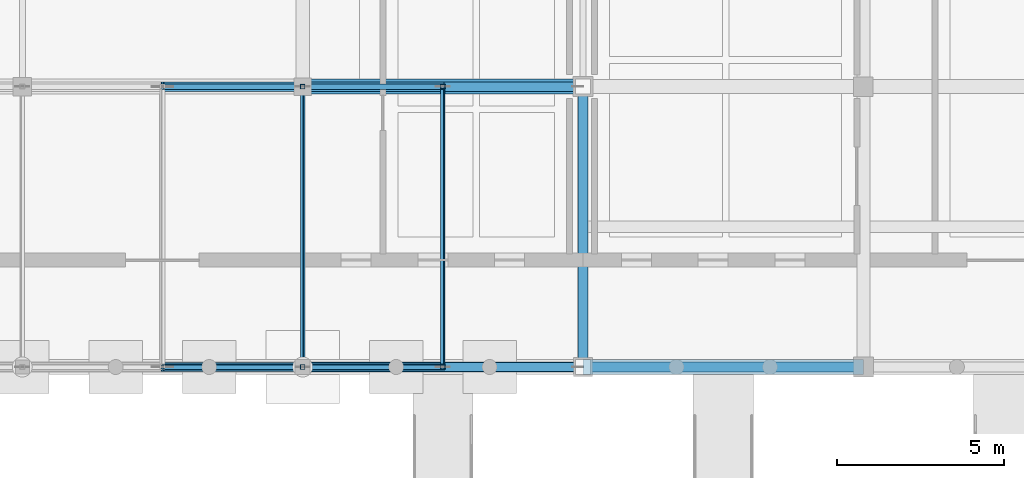
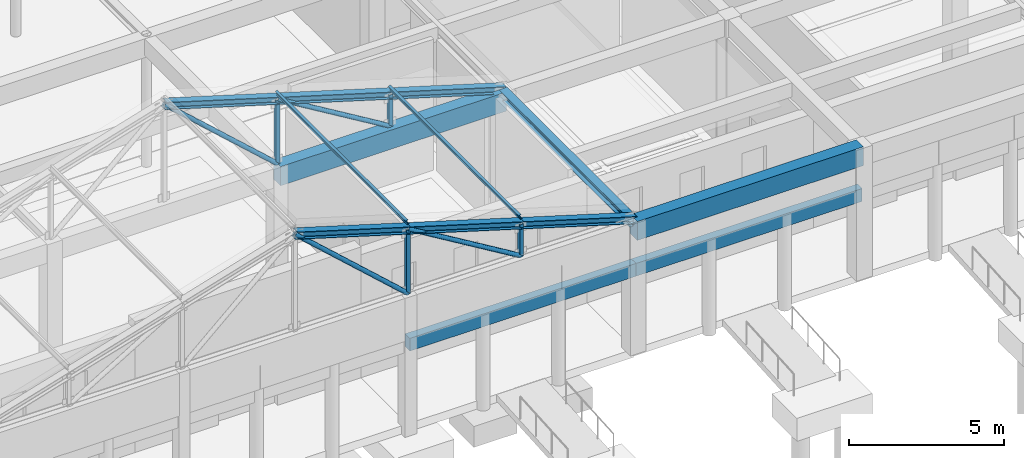
# One storey, part 33 of 143: 16 members, 5 beams.
"""IFC4 building model written with IfcOpenShell, lengths in metres."""

import ifcopenshell
import ifcopenshell.guid

model = None  # the IFC model being written
_history = None  # IfcOwnerHistory: only IFC2X3 demands one
_inside = {}  # id of a spatial element -> (the spatial element, [elements in it])
_under = {}  # id of a project, library or spatial element -> (it, [spatial elements below it])
_declared = {}  # id of a project -> (the project, [libraries it declares])
_typed = {}  # id of a type object -> (the type object, [elements of that type])
_made_of = {}  # id of a material, layer set ... -> (it, [elements and type objects made of it])


def new_model(schema):
    """Start an empty IFC model of exactly this schema.

    Asked for "IFC4X3", IfcOpenShell would pick the latest addendum, in which some entities
    have other attributes; the version numbers below select the first issue.
    IFC2X3 requires an IfcOwnerHistory on every rooted entity: one is made here for all.
    """
    global model, _history
    if schema == "IFC4X3":
        model = ifcopenshell.file(schema_version=(4, 3, 0, 0))
    else:
        model = ifcopenshell.file(schema=schema)
    _inside.clear()
    _under.clear()
    _declared.clear()
    _typed.clear()
    _made_of.clear()
    _history = None
    if model.schema == "IFC2X3":
        org = make("IfcOrganization", Name="unknown")
        user = make(
            "IfcPersonAndOrganization",
            ThePerson=make("IfcPerson", FamilyName="unknown"),
            TheOrganization=org,
        )
        app = make(
            "IfcApplication",
            ApplicationDeveloper=org,
            Version="unknown",
            ApplicationFullName="unknown",
            ApplicationIdentifier="unknown",
        )
        _history = make(
            "IfcOwnerHistory",
            OwningUser=user,
            OwningApplication=app,
            ChangeAction="ADDED",
            CreationDate=0,
        )
    return model


def make(cls, **values):
    """One entity of the class cls with the attributes given. An attribute that is None is left unset."""
    return model.create_entity(
        cls, **{name: value for name, value in values.items() if value is not None}
    )


def rooted(cls, **values):
    """An entity with a GlobalId (a new one), such as an element, a storey or a relation."""
    return make(cls, GlobalId=ifcopenshell.guid.new(), OwnerHistory=_history, **values)


def si_unit(unit_type, name, prefix=None):
    """IfcSIUnit, for example si_unit("LENGTHUNIT", "METRE", prefix="MILLI")."""
    return make("IfcSIUnit", UnitType=unit_type, Prefix=prefix, Name=name)


def assignment(units):
    """IfcUnitAssignment: the units of a project."""
    return None if units is None else make("IfcUnitAssignment", Units=units)


def point(xyz):
    """IfcCartesianPoint."""
    return None if xyz is None else make("IfcCartesianPoint", Coordinates=xyz)


def direction(xyz):
    """IfcDirection."""
    return None if xyz is None else make("IfcDirection", DirectionRatios=xyz)


def frame(location, z_axis=None, x_axis=None):
    """IfcAxis2Placement3D, a coordinate frame: its origin and axes. An axis left out is left unset."""
    return make(
        "IfcAxis2Placement3D",
        Location=point(location),
        Axis=direction(z_axis),
        RefDirection=direction(x_axis),
    )


def frame_2d(location, x_axis=None):
    """IfcAxis2Placement2D, a coordinate frame in the plane: its origin and x axis."""
    return make(
        "IfcAxis2Placement2D", Location=point(location), RefDirection=direction(x_axis)
    )


def origin():
    """The frame at (0, 0, 0) with its axes left unset."""
    return frame((0.0, 0.0, 0.0))


def origin_2d():
    """The frame at (0, 0) in the plane with its x axis left unset."""
    return frame_2d((0.0, 0.0))


def place(relative_to, where):
    """IfcLocalPlacement: puts the frame where relative to a parent placement (None: the world)."""
    return make(
        "IfcLocalPlacement", PlacementRelTo=relative_to, RelativePlacement=where
    )


def context(
    kind, dimensions, precision=None, world=None, true_north=None, identifier=None
):
    """IfcGeometricRepresentationContext, for example the 3D "Model" context."""
    return make(
        "IfcGeometricRepresentationContext",
        ContextIdentifier=identifier,
        ContextType=kind,
        CoordinateSpaceDimension=dimensions,
        Precision=precision,
        WorldCoordinateSystem=world,
        TrueNorth=true_north,
    )


def subcontext(parent, identifier, kind, view, scale=None):
    """IfcGeometricRepresentationSubContext, for example "Body" below "Model"."""
    return make(
        "IfcGeometricRepresentationSubContext",
        ContextIdentifier=identifier,
        ContextType=kind,
        ParentContext=parent,
        TargetScale=scale,
        TargetView=view,
    )


def project(units=None, contexts=None):
    """IfcProject with its units and contexts."""
    return rooted(
        "IfcProject",
        Name="project",
        RepresentationContexts=contexts,
        UnitsInContext=assignment(units),
    )


def spatial(cls, under=None, at=None, **own):
    """A site, building, storey or space (cls), placed at a placement, below another one or the project."""
    s = rooted(cls, ObjectPlacement=at, **own)
    if under is not None:
        _under.setdefault(under.id(), (under, []))[1].append(s)
    return s


def profile(cls, at=None, kind="AREA", **sizes):
    """A parametric profile (cls). Its sizes go by their IFC names, for example OverallWidth=200.0."""
    return make(cls, ProfileType=kind, Position=at, **sizes)


def rectangle(**sizes):
    """IfcRectangleProfileDef."""
    return profile("IfcRectangleProfileDef", **sizes)


def hollow_rectangle(**sizes):
    """IfcRectangleHollowProfileDef."""
    return profile("IfcRectangleHollowProfileDef", **sizes)


def hollow_circle(**sizes):
    """IfcCircleHollowProfileDef."""
    return profile("IfcCircleHollowProfileDef", **sizes)


def i_section(**sizes):
    """IfcIShapeProfileDef."""
    return profile("IfcIShapeProfileDef", **sizes)


def extrude(swept, where, along, depth):
    """IfcExtrudedAreaSolid: the profile swept, set in the frame where, extruded along a direction by depth."""
    return make(
        "IfcExtrudedAreaSolid",
        SweptArea=swept,
        Position=where,
        ExtrudedDirection=direction(along),
        Depth=depth,
    )


def shape(context_of_items, identifier, shape_type, items):
    """IfcShapeRepresentation: the items that make up one representation, for example the "Body"."""
    return make(
        "IfcShapeRepresentation",
        ContextOfItems=context_of_items,
        RepresentationIdentifier=identifier,
        RepresentationType=shape_type,
        Items=items,
    )


def material(Name=None, Category=None):
    """IfcMaterial."""
    return make("IfcMaterial", Name=Name, Category=Category)


def material_profile(
    of_material, cross_section, Name=None, Category=None, Priority=None
):
    """IfcMaterialProfile: a cross section and its material."""
    return make(
        "IfcMaterialProfile",
        Name=Name,
        Material=of_material,
        Profile=cross_section,
        Priority=Priority,
        Category=Category,
    )


def profile_set(profiles, Name=None, composite=None):
    """IfcMaterialProfileSet."""
    return make(
        "IfcMaterialProfileSet",
        Name=Name,
        MaterialProfiles=profiles,
        CompositeProfile=composite,
    )


def made_of(thing, what):
    """Note that an element or type object is made of a material, layer set ...; save() writes the relation."""
    if what is not None:
        _made_of.setdefault(what.id(), (what, []))[1].append(thing)
    return thing


def type_object(cls, material=None, **own):
    """A type object (cls), such as IfcWallType, which elements share."""
    return made_of(rooted(cls, **own), material)


def element(
    cls,
    number,
    at=None,
    inside=None,
    cuts=None,
    type_object=None,
    material=None,
    context=None,
    identifier="Body",
    shape_type=None,
    held_by="IfcProductDefinitionShape",
    body=None,
    shapes=None,
    **own,
):
    """One element of the class cls, such as IfcWall. Its Tag is "e" and its number.

    at: its placement. inside: the storey or other place that contains it. cuts: it is an
    opening in that element (IfcRelVoidsElement). A single representation is given by context,
    identifier, shape_type and body (its items); several are given by shapes. held_by: the class
    of the entity that holds the representations. save() writes the other relations.
    """
    e = rooted(cls, Tag="e%d" % number, ObjectPlacement=at, **own)
    if body is not None:
        shapes = [shape(context, identifier, shape_type, body)]
    if shapes is not None:
        e.Representation = make(held_by, Representations=shapes)
    if inside is not None:
        _inside.setdefault(inside.id(), (inside, []))[1].append(e)
    if cuts is not None:
        rooted(
            "IfcRelVoidsElement", RelatingBuildingElement=cuts, RelatedOpeningElement=e
        )
    if type_object is not None:
        _typed.setdefault(type_object.id(), (type_object, []))[1].append(e)
    return made_of(e, material)


def aggregate(whole, parts):
    """IfcRelAggregates: a whole, such as a stair, and the parts it consists of."""
    return rooted("IfcRelAggregates", RelatingObject=whole, RelatedObjects=parts)


def save(model, path):
    """Write the relations noted so far, then the file.

    IfcRelAggregates (storeys below a building ...), IfcRelContainedInSpatialStructure (elements
    in a storey), IfcRelDefinesByType, IfcRelAssociatesMaterial and IfcRelDeclares: one each for
    every whole, place, type object, material and project.
    """
    for whole, parts in _under.values():
        aggregate(whole, parts)
    for where, things in _inside.values():
        rooted(
            "IfcRelContainedInSpatialStructure",
            RelatedElements=things,
            RelatingStructure=where,
        )
    for kind, things in _typed.values():
        rooted("IfcRelDefinesByType", RelatedObjects=things, RelatingType=kind)
    for what, things in _made_of.values():
        rooted("IfcRelAssociatesMaterial", RelatedObjects=things, RelatingMaterial=what)
    for by, libraries in _declared.values():
        rooted("IfcRelDeclares", RelatingContext=by, RelatedDefinitions=libraries)
    model.write(path)


model = new_model("IFC4")

# Units and contexts
model_context = context("Model", 3, precision=1e-05, world=origin(), true_north=direction((0.0, 1.0)))
body_context = subcontext(model_context, "Body", "Model", "MODEL_VIEW")
ifc_project = project(units=[si_unit("LENGTHUNIT", "METRE"), si_unit("AREAUNIT", "SQUARE_METRE"), si_unit("VOLUMEUNIT", "CUBIC_METRE"), si_unit("PLANEANGLEUNIT", "RADIAN"), si_unit("MASSUNIT", "GRAM", prefix="KILO")], contexts=[model_context])

# Site, building, storey
site_placement = place(None, origin())
site = spatial("IfcSite", under=ifc_project, at=site_placement, CompositionType="ELEMENT")
building_placement = place(site_placement, origin())
building = spatial("IfcBuilding", under=site, at=building_placement, Name="Kveldsbrygga Polytechnic", CompositionType="ELEMENT")
storey_placement = place(building_placement, origin())
storey = spatial("IfcBuildingStorey", under=building, at=storey_placement, Name="L00", CompositionType="ELEMENT", Elevation=0.0)

# Beams
ifc_material_1 = material(Name="Concrete C35/45", Category="concrete")
ifc_material_profile_1 = material_profile(ifc_material_1, rectangle(XDim=0.449951171875, YDim=0.75, at=origin_2d()), Name="RC 450x750")
ifc_profile_set_1 = profile_set([ifc_material_profile_1], Name="Concrete C35/45")
beam_type_1 = type_object("IfcBeamType", Name="BM-RC-450x750", PredefinedType="BEAM", material=ifc_profile_set_1)
beam_1_placement = place(storey_placement, frame((67.199951171875, 8.39990234375, 4.764892578125), z_axis=(1.0, 0.0, 0.0), x_axis=(0.0, 1.0, 0.0)))
element("IfcBeam", 1, at=beam_1_placement, inside=storey, type_object=beam_type_1, Name="Primary Beam BMX-L00-08to09-01", PredefinedType="BEAM", context=body_context, shape_type="SweptSolid", body=[
    extrude(rectangle(XDim=0.449951171875, YDim=0.75, at=origin_2d()), origin(), (0.0, 0.0, 1.0), 8.400146484375),
])
ifc_material_profile_2 = material_profile(ifc_material_1, rectangle(XDim=0.4599609375, YDim=0.739990234375, at=origin_2d()), Name="RC 460x740")
ifc_profile_set_2 = profile_set([ifc_material_profile_2], Name="Concrete C35/45")
beam_type_2 = type_object("IfcBeamType", Name="BM-RC-460x740", PredefinedType="BEAM", material=ifc_profile_set_2)
beam_2_placement = place(storey_placement, frame((75.60009765625, 0.0, 4.77001953125), z_axis=(1.0, 0.0, 0.0), x_axis=(0.0, 1.0, 0.0)))
element("IfcBeam", 2, at=beam_2_placement, inside=storey, type_object=beam_type_2, Name="Primary Beam BMX-L00-09to10-00", PredefinedType="BEAM", context=body_context, shape_type="SweptSolid", body=[
    extrude(rectangle(XDim=0.4599609375, YDim=0.739990234375, at=origin_2d()), origin(), (0.0, 0.0, 1.0), 8.39990234375),
])
ifc_material_2 = material(Name="Steel S355", Category="steel")
ifc_material_profile_3 = material_profile(ifc_material_2, i_section(OverallWidth=0.300048828125, OverallDepth=0.31005859375, WebThickness=0.009033203125, FlangeThickness=0.015380859375, FilletRadius=0.027099609375, at=origin_2d()), Name="HEA 320")
ifc_profile_set_3 = profile_set([ifc_material_profile_3], Name="Steel S355")
beam_type_3 = type_object("IfcBeamType", Name="BM-STL-HEA320", PredefinedType="BEAM", material=ifc_profile_set_3)
beam_3_placement = place(storey_placement, frame((75.60009765625, 0.0, 4.985107421875), z_axis=(0.0, 1.0, 0.0), x_axis=(-1.0, 0.0, 0.0)))
element("IfcBeam", 3, at=beam_3_placement, inside=storey, type_object=beam_type_3, Name="Primary Beam BMY-L00-09-00to01", PredefinedType="BEAM", context=body_context, shape_type="SweptSolid", body=[
    extrude(i_section(OverallWidth=0.300048828125, OverallDepth=0.31005859375, WebThickness=0.009033203125, FlangeThickness=0.015380859375, FilletRadius=0.027099609375, at=origin_2d()), origin(), (0.0, 0.0, 1.0), 8.39990234375),
])

# Members
ifc_material_profile_4 = material_profile(ifc_material_2, hollow_circle(Radius=0.084228515625, WallThickness=0.010009765625, at=origin_2d()), Name="CHS 168.3x10.0")
ifc_profile_set_4 = profile_set([ifc_material_profile_4], Name="Steel S355")
member_type_1 = type_object("IfcMemberType", Name="BR-WIND-CHS168", PredefinedType="BRACE", material=ifc_profile_set_4)
member_1_placement = place(storey_placement, frame((63.0, 0.0, 8.93994140625), z_axis=(0.741527609628, 0.0, -0.670922353302), x_axis=(0.0, 1.0, 0.0)))
element("IfcMember", 4, at=member_1_placement, inside=storey, type_object=member_type_1, Name="Truss Diagonal V5P-T01-DG-4", PredefinedType="BRACE", context=body_context, shape_type="SweptSolid", body=[
    extrude(hollow_circle(Radius=0.084228515625, WallThickness=0.010009765625, at=origin_2d()), origin(), (0.0, 0.0, 1.0), 5.663818359375),
])
member_2_placement = place(storey_placement, frame((67.199951171875, 0.0, 7.67333984375), z_axis=(0.856278379486, 0.0, -0.516514604658), x_axis=(0.0, 1.0, 0.0)))
element("IfcMember", 5, at=member_2_placement, inside=storey, type_object=member_type_1, Name="Truss Diagonal V5P-T01-DG-5", PredefinedType="BRACE", context=body_context, shape_type="SweptSolid", body=[
    extrude(hollow_circle(Radius=0.084228515625, WallThickness=0.010009765625, at=origin_2d()), origin(), (0.0, 0.0, 1.0), 4.90478515625),
])
member_3_placement = place(storey_placement, frame((63.0, 8.39990234375, 8.93994140625), z_axis=(0.741527609628, 0.0, -0.670922353302), x_axis=(0.0, 1.0, 0.0)))
element("IfcMember", 6, at=member_3_placement, inside=storey, type_object=member_type_1, Name="Truss Diagonal V5P-T02-DG-4", PredefinedType="BRACE", context=body_context, shape_type="SweptSolid", body=[
    extrude(hollow_circle(Radius=0.084228515625, WallThickness=0.010009765625, at=origin_2d()), origin(), (0.0, 0.0, 1.0), 5.663818359375),
])
member_4_placement = place(storey_placement, frame((67.199951171875, 8.39990234375, 7.67333984375), z_axis=(0.856278379486, 0.0, -0.516514604658), x_axis=(0.0, 1.0, 0.0)))
element("IfcMember", 7, at=member_4_placement, inside=storey, type_object=member_type_1, Name="Truss Diagonal V5P-T02-DG-5", PredefinedType="BRACE", context=body_context, shape_type="SweptSolid", body=[
    extrude(hollow_circle(Radius=0.084228515625, WallThickness=0.010009765625, at=origin_2d()), origin(), (0.0, 0.0, 1.0), 4.90478515625),
])

# Beams
ifc_material_profile_5 = material_profile(ifc_material_1, rectangle(XDim=0.300048828125, YDim=0.5, at=origin_2d()), Name="RC 300x500")
ifc_profile_set_5 = profile_set([ifc_material_profile_5], Name="Concrete C35/45")
beam_type_4 = type_object("IfcBeamType", Name="LNT-RC-300x500", PredefinedType="LINTEL", material=ifc_profile_set_5)
beam_4_placement = place(storey_placement, frame((67.199951171875, 0.0, 3.199951171875), z_axis=(1.0, 0.0, 0.0), x_axis=(0.0, 1.0, 0.0)))
element("IfcBeam", 8, at=beam_4_placement, inside=storey, type_object=beam_type_4, Name="Harbour Colonnade Arch Lintel Beam BM-PROM-HDR-08", PredefinedType="LINTEL", context=body_context, shape_type="SweptSolid", body=[
    extrude(rectangle(XDim=0.300048828125, YDim=0.5, at=origin_2d()), origin(), (0.0, 0.0, 1.0), 8.400146484375),
])
beam_5_placement = place(storey_placement, frame((75.60009765625, 0.0, 3.199951171875), z_axis=(1.0, 0.0, 0.0), x_axis=(0.0, 1.0, 0.0)))
element("IfcBeam", 9, at=beam_5_placement, inside=storey, type_object=beam_type_4, Name="Harbour Colonnade Arch Lintel Beam BM-PROM-HDR-09", PredefinedType="LINTEL", context=body_context, shape_type="SweptSolid", body=[
    extrude(rectangle(XDim=0.300048828125, YDim=0.5, at=origin_2d()), origin(), (0.0, 0.0, 1.0), 8.39990234375),
])

# Members
ifc_material_profile_6 = material_profile(ifc_material_2, i_section(OverallWidth=0.091064453125, OverallDepth=0.179931640625, WebThickness=0.00537109375, FlangeThickness=0.008056640625, FilletRadius=0.009033203125, at=origin_2d()), Name="IPE 180")
ifc_profile_set_6 = profile_set([ifc_material_profile_6], Name="Steel S355")
member_type_2 = type_object("IfcMemberType", Name="PRL-IPE180", PredefinedType="PURLIN", material=ifc_profile_set_6)
for number, where, z_axis, x_axis, name in (
    (10, (67.199951171875, 0.0, 7.91357421875), (0.0, 1.0, 0.0), (-0.957407228669, 0.0, -0.288741057857), "Roof Purlin V5P-PRL-1-4"),
    (11, (71.39990234375, 0.0, 6.64697265625), (0.0, 1.0, 0.0), (-0.957407228669, 0.0, -0.288741057857), "Roof Purlin V5P-PRL-1-5"),
):
    element("IfcMember", number, at=place(storey_placement, frame(where, z_axis=z_axis, x_axis=x_axis)), inside=storey, type_object=member_type_2, Name=name, PredefinedType="PURLIN", context=body_context, shape_type="SweptSolid", body=[
        extrude(i_section(OverallWidth=0.091064453125, OverallDepth=0.179931640625, WebThickness=0.00537109375, FlangeThickness=0.008056640625, FilletRadius=0.009033203125, at=origin_2d()), origin(), (0.0, 0.0, 1.0), 8.39990234375),
    ])
ifc_material_profile_7 = material_profile(ifc_material_2, hollow_rectangle(XDim=0.139892578125, YDim=0.139892578125, WallThickness=0.008056640625, at=origin_2d()), Name="SHS 140x140x8.0")
ifc_profile_set_7 = profile_set([ifc_material_profile_7], Name="Steel S355")
member_type_3 = type_object("IfcMemberType", Name="TR-POST-SHS140", PredefinedType="STRUT", material=ifc_profile_set_7)
member_5_placement = place(storey_placement, frame((67.199951171875, 0.0, 5.139892578125), z_axis=(0.0, 0.0, 1.0), x_axis=(1.0, 0.0, 0.0)))
element("IfcMember", 12, at=member_5_placement, inside=storey, type_object=member_type_3, Name="Truss Vertical V5P-T01-VT-4", PredefinedType="STRUT", context=body_context, shape_type="SweptSolid", body=[
    extrude(hollow_rectangle(XDim=0.139892578125, YDim=0.139892578125, WallThickness=0.008056640625, at=origin_2d()), origin(), (0.0, 0.0, 1.0), 2.533447265625),
])
member_6_placement = place(storey_placement, frame((71.39990234375, 0.0, 5.139892578125), z_axis=(0.0, 0.0, 1.0), x_axis=(1.0, 0.0, 0.0)))
element("IfcMember", 13, at=member_6_placement, inside=storey, type_object=member_type_3, Name="Truss Vertical V5P-T01-VT-5", PredefinedType="STRUT", context=body_context, shape_type="SweptSolid", body=[
    extrude(hollow_rectangle(XDim=0.139892578125, YDim=0.139892578125, WallThickness=0.008056640625, at=origin_2d()), origin(), (0.0, 0.0, 1.0), 1.266845703125),
])
member_7_placement = place(storey_placement, frame((67.199951171875, 8.39990234375, 5.139892578125), z_axis=(0.0, 0.0, 1.0), x_axis=(1.0, 0.0, 0.0)))
element("IfcMember", 14, at=member_7_placement, inside=storey, type_object=member_type_3, Name="Truss Vertical V5P-T02-VT-4", PredefinedType="STRUT", context=body_context, shape_type="SweptSolid", body=[
    extrude(hollow_rectangle(XDim=0.139892578125, YDim=0.139892578125, WallThickness=0.008056640625, at=origin_2d()), origin(), (0.0, 0.0, 1.0), 2.533447265625),
])
member_8_placement = place(storey_placement, frame((71.39990234375, 8.39990234375, 5.139892578125), z_axis=(0.0, 0.0, 1.0), x_axis=(1.0, 0.0, 0.0)))
element("IfcMember", 15, at=member_8_placement, inside=storey, type_object=member_type_3, Name="Truss Vertical V5P-T02-VT-5", PredefinedType="STRUT", context=body_context, shape_type="SweptSolid", body=[
    extrude(hollow_rectangle(XDim=0.139892578125, YDim=0.139892578125, WallThickness=0.008056640625, at=origin_2d()), origin(), (0.0, 0.0, 1.0), 1.266845703125),
])
ifc_material_profile_8 = material_profile(ifc_material_2, i_section(OverallWidth=0.280029296875, OverallDepth=0.280029296875, WebThickness=0.010498046875, FlangeThickness=0.01806640625, FilletRadius=0.02392578125, at=origin_2d()), Name="HEB 280")
ifc_profile_set_8 = profile_set([ifc_material_profile_8], Name="Steel S355")
member_type_4 = type_object("IfcMemberType", Name="TR-TOP-HEB280", PredefinedType="CHORD", material=ifc_profile_set_8)
for number, where, z_axis, x_axis, name in (
    (16, (63.0, 0.0, 8.93994140625), (0.957410180843, 0.0, -0.288731268861), (0.0, 1.0, 0.0), "Truss Top Chord V5P-T01-TC-4"),
    (17, (67.199951171875, 0.0, 7.67333984375), (0.957410180843, 0.0, -0.288731268861), (0.0, 1.0, 0.0), "Truss Top Chord V5P-T01-TC-5"),
):
    element("IfcMember", number, at=place(storey_placement, frame(where, z_axis=z_axis, x_axis=x_axis)), inside=storey, type_object=member_type_4, Name=name, PredefinedType="CHORD", context=body_context, shape_type="SweptSolid", body=[
        extrude(i_section(OverallWidth=0.280029296875, OverallDepth=0.280029296875, WebThickness=0.010498046875, FlangeThickness=0.01806640625, FilletRadius=0.02392578125, at=origin_2d()), origin(), (0.0, 0.0, 1.0), 4.38671875),
    ])
member_9_placement = place(storey_placement, frame((71.39990234375, 0.0, 6.40673828125), z_axis=(0.957399435953, 0.0, -0.288766895673), x_axis=(0.0, 1.0, 0.0)))
element("IfcMember", 18, at=member_9_placement, inside=storey, type_object=member_type_4, Name="Truss Top Chord V5P-T01-TC-6", PredefinedType="CHORD", context=body_context, shape_type="SweptSolid", body=[
    extrude(i_section(OverallWidth=0.280029296875, OverallDepth=0.280029296875, WebThickness=0.010498046875, FlangeThickness=0.01806640625, FilletRadius=0.02392578125, at=origin_2d()), origin(), (0.0, 0.0, 1.0), 4.38720703125),
])
for number, where, z_axis, x_axis, name in (
    (19, (63.0, 8.39990234375, 8.93994140625), (0.957410180843, 0.0, -0.288731268861), (0.0, 1.0, 0.0), "Truss Top Chord V5P-T02-TC-4"),
    (20, (67.199951171875, 8.39990234375, 7.67333984375), (0.957410180843, 0.0, -0.288731268861), (0.0, 1.0, 0.0), "Truss Top Chord V5P-T02-TC-5"),
):
    element("IfcMember", number, at=place(storey_placement, frame(where, z_axis=z_axis, x_axis=x_axis)), inside=storey, type_object=member_type_4, Name=name, PredefinedType="CHORD", context=body_context, shape_type="SweptSolid", body=[
        extrude(i_section(OverallWidth=0.280029296875, OverallDepth=0.280029296875, WebThickness=0.010498046875, FlangeThickness=0.01806640625, FilletRadius=0.02392578125, at=origin_2d()), origin(), (0.0, 0.0, 1.0), 4.38671875),
    ])
member_10_placement = place(storey_placement, frame((71.39990234375, 8.39990234375, 6.40673828125), z_axis=(0.957399435953, 0.0, -0.288766895673), x_axis=(0.0, 1.0, 0.0)))
element("IfcMember", 21, at=member_10_placement, inside=storey, type_object=member_type_4, Name="Truss Top Chord V5P-T02-TC-6", PredefinedType="CHORD", context=body_context, shape_type="SweptSolid", body=[
    extrude(i_section(OverallWidth=0.280029296875, OverallDepth=0.280029296875, WebThickness=0.010498046875, FlangeThickness=0.01806640625, FilletRadius=0.02392578125, at=origin_2d()), origin(), (0.0, 0.0, 1.0), 4.38720703125),
])

save(model, "model.ifc")
